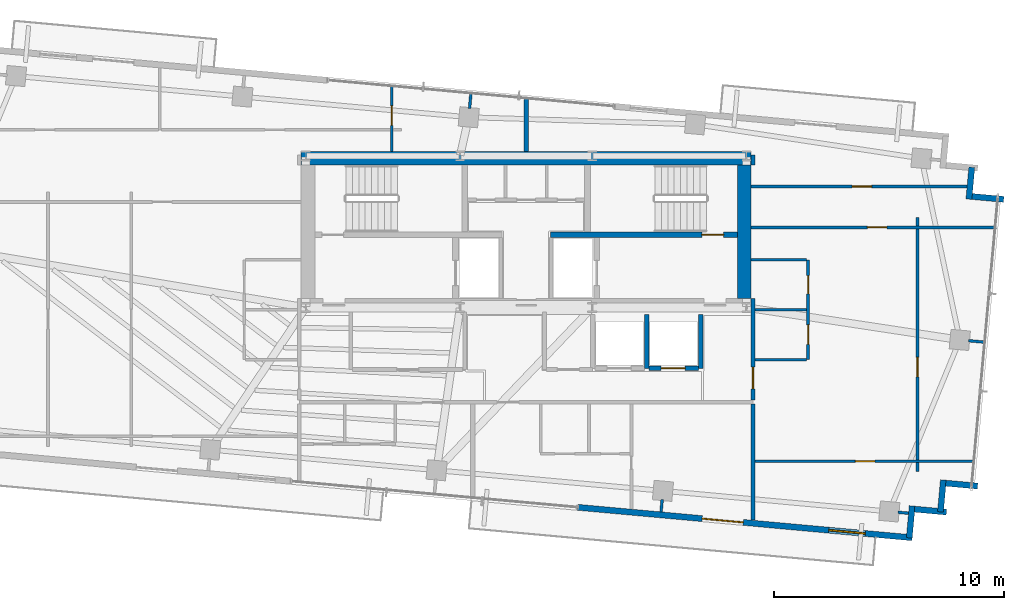
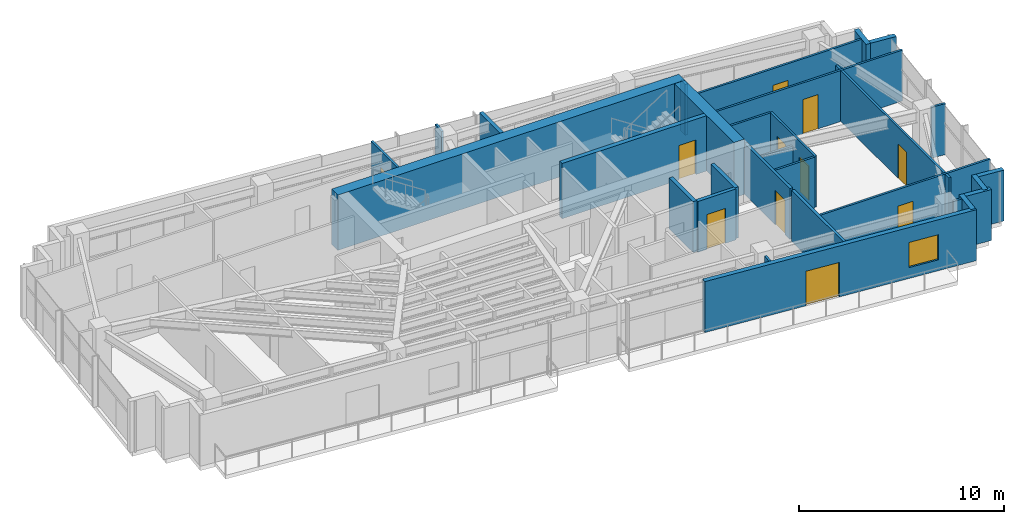
# One storey, part 18 of 22: 32 walls, 11 doors, 1 window, 12 openings.
"""IFC4 building model written with IfcOpenShell, lengths in metres."""

from ifc_helpers import new_model, si_unit, direction, frame, frame_2d, origin, place, context, subcontext, project, spatial, rectangle, extrude, source, transform, mapped, material, layer, layer_set, type_object, type_shapes, element, fill, save


model = new_model("IFC4")

# Units and contexts
model_context = context("Model", 3, precision=1e-05, world=origin(), true_north=direction((0.0, 1.0)))
body_context = subcontext(model_context, "Body", "Model", "MODEL_VIEW")
ifc_project = project(units=[si_unit("LENGTHUNIT", "METRE"), si_unit("AREAUNIT", "SQUARE_METRE"), si_unit("VOLUMEUNIT", "CUBIC_METRE"), si_unit("PLANEANGLEUNIT", "RADIAN"), si_unit("MASSUNIT", "GRAM", prefix="KILO")], contexts=[model_context])

# Site, building, storey
site_placement = place(None, origin())
site = spatial("IfcSite", under=ifc_project, at=site_placement, CompositionType="ELEMENT")
building_placement = place(site_placement, origin())
building = spatial("IfcBuilding", under=site, at=building_placement, Name="Astriad Promenade Condominiums", CompositionType="ELEMENT")
storey_placement = place(building_placement, frame((0.0, 0.0, 219.89990234375)))
storey = spatial("IfcBuildingStorey", under=building, at=storey_placement, Name="L63", CompositionType="ELEMENT", Elevation=219.89990234375)

# Walls
ifc_material_1 = material(Name="Concrete C50/60", Category="concrete")
ifc_layer_1 = layer(ifc_material_1, 0.60009765625)
ifc_layer_set_1 = layer_set([ifc_layer_1], Name="Concrete C50/60")
wall_type_1 = type_object("IfcWallType", Name="CW-SHEAR-600", PredefinedType="SHEAR", material=ifc_layer_set_1)
wall_1_placement = place(storey_placement, frame((26.199951171875, 23.89990234375, 0.0), z_axis=(0.0, 0.0, 1.0), x_axis=(1.0, 0.0, 0.0)))
element("IfcWall", 1, at=wall_1_placement, inside=storey, type_object=wall_type_1, Name="CW-CORE-N-L63", PredefinedType="SHEAR", context=body_context, shape_type="SweptSolid", body=[
    extrude(rectangle(XDim=19.60009765625, YDim=0.60009765625, at=frame_2d((9.800048828125, 0.0))), origin(), (0.0, 0.0, 1.0), 3.300048828125),
])
wall_2_placement = place(storey_placement, frame((45.5, 17.802001953125, 0.0), z_axis=(0.0, 0.0, 1.0), x_axis=(0.0, 1.0, 0.0)))
element("IfcWall", 2, at=wall_2_placement, inside=storey, type_object=wall_type_1, Name="CW-CORE-E-L63", PredefinedType="SHEAR", context=body_context, shape_type="SweptSolid", body=[
    extrude(rectangle(XDim=5.7958984375, YDim=0.60009765625, at=frame_2d((2.89794921875, 0.0))), origin(), (0.0, 0.0, 1.0), 3.300048828125),
])

# Wall, opening, door
ifc_layer_2 = layer(ifc_material_1, 0.25)
ifc_layer_set_2 = layer_set([ifc_layer_2], Name="Concrete C50/60")
wall_type_2 = type_object("IfcWallType", Name="WALL-CORE-INT-250", PredefinedType="SOLIDWALL", material=ifc_layer_set_2)
wall_3_placement = place(storey_placement, frame((37.050048828125, 20.574951171875, 0.0), z_axis=(0.0, 0.0, 1.0), x_axis=(1.0, 0.0, 0.0)))
wall_3 = element("IfcWall", 3, at=wall_3_placement, inside=storey, type_object=wall_type_2, Name="CW-INT-H2-L63", PredefinedType="SOLIDWALL", context=body_context, shape_type="SweptSolid", body=[
    extrude(rectangle(XDim=8.14794921875, YDim=0.25, at=frame_2d((4.073974609375, 0.0))), origin(), (0.0, 0.0, 1.0), 3.300048828125),
])
opening_1_placement = place(wall_3_placement, frame((6.60009765625, 0.0, 0.0)))
opening_1 = element("IfcOpeningElement", 4, at=opening_1_placement, cuts=wall_3, Name="Opening FD90-ST-095", PredefinedType="OPENING", context=body_context, shape_type="SweptSolid", body=[
    extrude(rectangle(XDim=0.949951171875, YDim=2.06005859375, at=frame_2d((0.47509765625, 1.030029296875))), frame((0.0, 0.135009765625, 0.0), z_axis=(0.0, -1.0, 0.0), x_axis=(1.0, 0.0, 0.0)), (0.0, 0.0, 1.0), 0.27001953125),
])
ifc_material_2 = material(Name="Fire-Rated Hollow Metal Stair Door")
door_type_1 = type_object("IfcDoorType", Name="FD90-ST-095", OperationType="NOTDEFINED", PredefinedType="DOOR", material=ifc_material_2)
shared_shape_1 = source(origin(), body_context, "Body", "SweptSolid", [
    extrude(rectangle(XDim=0.949951171875, YDim=2.06005859375, at=frame_2d((0.47509765625, 1.030029296875))), frame((0.0, 0.02490234375, 0.0), z_axis=(0.0, -1.0, 0.0), x_axis=(1.0, 0.0, 0.0)), (0.0, 0.0, 1.0), 0.050048828125),
])
type_shapes(door_type_1, [shared_shape_1])
door_1_placement = place(opening_1_placement, origin())
door_1 = element("IfcDoor", 5, at=door_1_placement, inside=storey, type_object=door_type_1, Name="D-ST2-L63", OperationType="SINGLE_SWING_RIGHT", OverallHeight=2.06005859375, OverallWidth=0.949951171875, PredefinedType="DOOR", context=body_context, shape_type="MappedRepresentation", body=[
    mapped(shared_shape_1, transform((0.0, 0.0, 0.0), scale=1.0)),
])
fill(opening_1, door_1)

# Wall
ifc_material_3 = material(Name="Fire-Rated Gypsum Partition")
ifc_layer_3 = layer(ifc_material_3, 0.159912109375)
ifc_layer_set_3 = layer_set([ifc_layer_3], Name="Fire-Rated Gypsum Partition")
wall_type_3 = type_object("IfcWallType", Name="WALL-CORR-160", PredefinedType="PARTITIONING", material=ifc_layer_set_3)
wall_4_placement = place(storey_placement, frame((45.8798828125, 8.135986328125, 0.0), z_axis=(0.0, 0.0, 1.0), x_axis=(0.0, 1.0, 0.0)))
element("IfcWall", 6, at=wall_4_placement, inside=storey, type_object=wall_type_3, Name="PT-COR-E-L63", PredefinedType="PARTITIONING", context=body_context, shape_type="SweptSolid", body=[
    extrude(rectangle(XDim=5.06201171875, YDim=0.159912109375, at=frame_2d((2.531005859375, 0.0))), origin(), (0.0, 0.0, 1.0), 3.0400390625),
])

# Wall, opening, door
wall_5_placement = place(storey_placement, frame((45.8798828125, 13.362060546875, 0.0), z_axis=(0.0, 0.0, 1.0), x_axis=(0.0, 1.0, 0.0)))
wall_5 = element("IfcWall", 7, at=wall_5_placement, inside=storey, type_object=wall_type_3, Name="PT-COR-E-L63-S2", PredefinedType="PARTITIONING", context=body_context, shape_type="SweptSolid", body=[
    extrude(rectangle(XDim=4.43994140625, YDim=0.159912109375, at=frame_2d((2.219970703125, 0.0))), origin(), (0.0, 0.0, 1.0), 3.0400390625),
])
opening_2_placement = place(wall_5_placement, frame((0.492919921875, 0.0, 0.0)))
opening_2 = element("IfcOpeningElement", 8, at=opening_2_placement, cuts=wall_5, Name="Opening FD60-APT-095", PredefinedType="OPENING", context=body_context, shape_type="SweptSolid", body=[
    extrude(rectangle(XDim=0.949951171875, YDim=2.06005859375, at=frame_2d((0.47509765625, 1.030029296875))), frame((0.0, 0.08984375, 0.0), z_axis=(0.0, -1.0, 0.0), x_axis=(1.0, 0.0, 0.0)), (0.0, 0.0, 1.0), 0.179931640625),
])
ifc_material_4 = material(Name="Solid-Core Acoustic Timber Residence Entry Door", Category="wood")
door_type_2 = type_object("IfcDoorType", Name="FD60-APT-095", OperationType="NOTDEFINED", PredefinedType="DOOR", material=ifc_material_4)
shared_shape_2 = source(origin(), body_context, "Body", "SweptSolid", [
    extrude(rectangle(XDim=0.949951171875, YDim=2.06005859375, at=frame_2d((0.47509765625, 1.030029296875))), frame((0.0, 0.02490234375, 0.0), z_axis=(0.0, -1.0, 0.0), x_axis=(1.0, 0.0, 0.0)), (0.0, 0.0, 1.0), 0.050048828125),
])
type_shapes(door_type_2, [shared_shape_2])
door_2_placement = place(opening_2_placement, origin())
door_2 = element("IfcDoor", 9, at=door_2_placement, inside=storey, type_object=door_type_2, Name="D-ENT-L63-E1", OperationType="SINGLE_SWING_LEFT", OverallHeight=2.06005859375, OverallWidth=0.949951171875, PredefinedType="DOOR", context=body_context, shape_type="MappedRepresentation", body=[
    mapped(shared_shape_2, transform((0.0, 0.0, 0.0), scale=1.0)),
])
fill(opening_2, door_2)

# Walls
wall_6_placement = place(storey_placement, frame((45.8798828125, 23.597900390625, 0.0), z_axis=(0.0, 0.0, 1.0), x_axis=(0.0, 1.0, 0.0)))
element("IfcWall", 10, at=wall_6_placement, inside=storey, type_object=wall_type_3, Name="PT-COR-E-L63-S3", PredefinedType="PARTITIONING", context=body_context, shape_type="SweptSolid", body=[
    extrude(rectangle(XDim=0.4521484375, YDim=0.159912109375, at=frame_2d((0.22607421875, 0.0))), origin(), (0.0, 0.0, 1.0), 3.0400390625),
])
ifc_material_5 = material(Name="Acoustic Double-Stud Gypsum Partition")
ifc_layer_4 = layer(ifc_material_5, 0.199951171875)
ifc_layer_set_4 = layer_set([ifc_layer_4], Name="Acoustic Double-Stud Gypsum Partition")
wall_type_4 = type_object("IfcWallType", Name="WALL-DEMISING-200", PredefinedType="PARTITIONING", material=ifc_layer_set_4)
wall_7_placement = place(storey_placement, frame((36.0, 24.201904296875, 0.0), z_axis=(0.0, 0.0, 1.0), x_axis=(0.0, 1.0, 0.0)))
element("IfcWall", 11, at=wall_7_placement, inside=storey, type_object=wall_type_4, Name="PT-NC-MID-L63", PredefinedType="PARTITIONING", context=body_context, shape_type="SweptSolid", body=[
    extrude(rectangle(XDim=2.36328125, YDim=0.199951171875, at=frame_2d((1.181640625, 0.0))), origin(), (0.0, 0.0, 1.0), 3.0400390625),
])
ifc_material_6 = material(Name="Precast concrete C50/60", Category="concrete")
ifc_layer_5 = layer(ifc_material_6, 0.260009765625)
ifc_layer_set_5 = layer_set([ifc_layer_5], Name="Precast concrete C50/60")
wall_type_5 = type_object("IfcWallType", Name="WALL-EXT-TWR-260", PredefinedType="STANDARD", material=ifc_layer_set_5)
for number, where, z_axis, x_axis, name in (
    (12, (55.412353515625, 23.50830078125, 0.0), (0.0, 0.0, 1.0), (-0.090646191665, -0.995883159782, 0.0), "W-SER-L63-11"),
    (13, (55.412109375, 22.238037109375, 0.0), (0.0, 0.0, 1.0), (0.995883159782, -0.090646191665, 0.0), "W-SER-L63-12"),
):
    element("IfcWall", number, at=place(storey_placement, frame(where, z_axis=z_axis, x_axis=x_axis)), inside=storey, type_object=wall_type_5, Name=name, PredefinedType="STANDARD", context=body_context, shape_type="SweptSolid", body=[
        extrude(rectangle(XDim=1.395263671875, YDim=0.260009765625, at=frame_2d((0.69775390625, 0.0))), origin(), (0.0, 0.0, 1.0), 3.0400390625),
    ])
for number, where, z_axis, x_axis, name in (
    (14, (55.664794921875, 9.623291015625, 0.0), (0.0, 0.0, 1.0), (-0.995881721538, 0.090661991521, 0.0), "W-SER-L63-14"),
    (15, (54.1728515625, 9.889404296875, 0.0), (0.0, 0.0, 1.0), (-0.090661991521, -0.995881721538, 0.0), "W-SER-L63-15"),
):
    element("IfcWall", number, at=place(storey_placement, frame(where, z_axis=z_axis, x_axis=x_axis)), inside=storey, type_object=wall_type_5, Name=name, PredefinedType="STANDARD", context=body_context, shape_type="SweptSolid", body=[
        extrude(rectangle(XDim=1.39501953125, YDim=0.260009765625, at=frame_2d((0.697509765625, 0.0))), origin(), (0.0, 0.0, 1.0), 3.0400390625),
    ])
for number, where, z_axis, x_axis, name in (
    (16, (54.306884765625, 8.49169921875, 0.0), (0.0, 0.0, 1.0), (-0.995883159782, 0.090646191665, 0.0), "W-SER-L63-16"),
    (17, (52.814697265625, 8.758056640625, 0.0), (0.0, 0.0, 1.0), (-0.090646191665, -0.995883159782, 0.0), "W-SER-L63-17"),
):
    element("IfcWall", number, at=place(storey_placement, frame(where, z_axis=z_axis, x_axis=x_axis)), inside=storey, type_object=wall_type_5, Name=name, PredefinedType="STANDARD", context=body_context, shape_type="SweptSolid", body=[
        extrude(rectangle(XDim=1.395263671875, YDim=0.260009765625, at=frame_2d((0.69775390625, 0.0))), origin(), (0.0, 0.0, 1.0), 3.0400390625),
    ])

# Wall, openings, door, window
wall_8_placement = place(storey_placement, frame((52.819091796875, 7.371826171875, 0.0), z_axis=(0.0, 0.0, 1.0), x_axis=(-0.995884447498, 0.090632043071, 0.0)))
wall_8 = element("IfcWall", 18, at=wall_8_placement, inside=storey, type_object=wall_type_5, Name="W-EXT-L63-S1", PredefinedType="STANDARD", context=body_context, shape_type="SweptSolid", body=[
    extrude(rectangle(XDim=14.6298828125, YDim=0.260009765625, at=frame_2d((7.31494140625, 0.0))), origin(), (0.0, 0.0, 1.0), 3.0400390625),
])
opening_3_placement = place(wall_8_placement, frame((7.39306640625, 0.0, 0.0)))
opening_3 = element("IfcOpeningElement", 19, at=opening_3_placement, cuts=wall_8, Name="Opening BD-1822-SLD", PredefinedType="OPENING", context=body_context, shape_type="SweptSolid", body=[
    extrude(rectangle(XDim=1.800048828125, YDim=2.06005859375, at=frame_2d((0.89990234375, 1.030029296875))), frame((0.0, 0.139892578125, 0.0), z_axis=(0.0, -1.0, 0.0), x_axis=(1.0, 0.0, 0.0)), (0.0, 0.0, 1.0), 0.280029296875),
])
opening_4_placement = place(wall_8_placement, frame((2.050048828125, 0.0, 0.64990234375)))
opening_4 = element("IfcOpeningElement", 20, at=opening_4_placement, cuts=wall_8, Name="Opening WIN-TWR-1620", PredefinedType="OPENING", context=body_context, shape_type="SweptSolid", body=[
    extrude(rectangle(XDim=1.60009765625, YDim=1.5, at=frame_2d((0.800048828125, 0.75))), frame((0.0, 0.139892578125, 0.0), z_axis=(0.0, -1.0, 0.0), x_axis=(1.0, 0.0, 0.0)), (0.0, 0.0, 1.0), 0.280029296875),
])
ifc_material_7 = material(Name="Thermally Broken Aluminium Sliding Balcony Door", Category="aluminium")
door_type_3 = type_object("IfcDoorType", Name="BD-1822-SLD", OperationType="NOTDEFINED", PredefinedType="DOOR", material=ifc_material_7)
shared_shape_3 = source(origin(), body_context, "Body", "SweptSolid", [
    extrude(rectangle(XDim=1.800048828125, YDim=2.06005859375, at=frame_2d((0.89990234375, 1.030029296875))), frame((0.0, 0.02490234375, 0.0), z_axis=(0.0, -1.0, 0.0), x_axis=(1.0, 0.0, 0.0)), (0.0, 0.0, 1.0), 0.050048828125),
])
type_shapes(door_type_3, [shared_shape_3])
door_3_placement = place(opening_3_placement, origin())
door_3 = element("IfcDoor", 21, at=door_3_placement, inside=storey, type_object=door_type_3, Name="BD-L63-SE", OperationType="SLIDING_TO_RIGHT", OverallHeight=2.06005859375, OverallWidth=1.800048828125, PredefinedType="DOOR", context=body_context, shape_type="MappedRepresentation", body=[
    mapped(shared_shape_3, transform((0.0, 0.0, 0.0), scale=1.0)),
])
fill(opening_3, door_3)
ifc_material_8 = material(Name="Dark Tinted Triple-Glazed Aluminium Window", Category="aluminium")
window_type = type_object("IfcWindowType", Name="WIN-TWR-1620", PartitioningType="SINGLE_PANEL", PredefinedType="WINDOW", material=ifc_material_8)
shared_shape_4 = source(origin(), body_context, "Body", "SweptSolid", [
    extrude(rectangle(XDim=1.60009765625, YDim=1.5, at=frame_2d((0.800048828125, 0.75))), frame((0.0, 0.030029296875, 0.0), z_axis=(0.0, -1.0, 0.0), x_axis=(1.0, 0.0, 0.0)), (0.0, 0.0, 1.0), 0.06005859375),
])
type_shapes(window_type, [shared_shape_4])
window_placement = place(opening_4_placement, origin())
window = element("IfcWindow", 22, at=window_placement, inside=storey, type_object=window_type, Name="WIN-L63-SE", OverallHeight=1.5, OverallWidth=1.60009765625, PartitioningType="SINGLE_PANEL", PredefinedType="WINDOW", context=body_context, shape_type="MappedRepresentation", body=[
    mapped(shared_shape_4, transform((0.0, 0.0, 0.0), scale=1.0)),
])
fill(opening_4, window)

# Wall, opening, door
ifc_material_9 = material(Name="Acoustic Metal-Stud Gypsum Partition")
ifc_layer_6 = layer(ifc_material_9, 0.1201171875)
ifc_layer_set_6 = layer_set([ifc_layer_6], Name="Acoustic Metal-Stud Gypsum Partition")
wall_type_6 = type_object("IfcWallType", Name="WALL-PART-120", PredefinedType="PARTITIONING", material=ifc_layer_set_6)
wall_9_placement = place(storey_placement, frame((30.14990234375, 24.201904296875, 0.0), z_axis=(0.0, 0.0, 1.0), x_axis=(0.0, 1.0, 0.0)))
wall_9 = element("IfcWall", 23, at=wall_9_placement, inside=storey, type_object=wall_type_6, Name="PT-L63-W1-NC", PredefinedType="PARTITIONING", context=body_context, shape_type="SweptSolid", body=[
    extrude(rectangle(XDim=2.895751953125, YDim=0.1201171875, at=frame_2d((1.44775390625, 0.0))), origin(), (0.0, 0.0, 1.0), 3.0400390625),
])
opening_5_placement = place(wall_9_placement, frame((1.1279296875, 0.0, 0.0)))
opening_5 = element("IfcOpeningElement", 24, at=opening_5_placement, cuts=wall_9, Name="Opening D-INT-085", PredefinedType="OPENING", context=body_context, shape_type="SweptSolid", body=[
    extrude(rectangle(XDim=0.85009765625, YDim=2.050048828125, at=frame_2d((0.425048828125, 1.02490234375))), frame((0.0, 0.070068359375, 0.0), z_axis=(0.0, -1.0, 0.0), x_axis=(1.0, 0.0, 0.0)), (0.0, 0.0, 1.0), 0.14013671875),
])
ifc_material_10 = material(Name="Painted Solid-Core Timber Room Door", Category="wood")
door_type_4 = type_object("IfcDoorType", Name="D-INT-085", OperationType="NOTDEFINED", PredefinedType="DOOR", material=ifc_material_10)
shared_shape_5 = source(origin(), body_context, "Body", "SweptSolid", [
    extrude(rectangle(XDim=0.85009765625, YDim=2.050048828125, at=frame_2d((0.425048828125, 1.02490234375))), frame((0.0, 0.02490234375, 0.0), z_axis=(0.0, -1.0, 0.0), x_axis=(1.0, 0.0, 0.0)), (0.0, 0.0, 1.0), 0.050048828125),
])
type_shapes(door_type_4, [shared_shape_5])
door_4_placement = place(opening_5_placement, origin())
door_4 = element("IfcDoor", 25, at=door_4_placement, inside=storey, type_object=door_type_4, Name="D-NC-L63-W1", OperationType="SINGLE_SWING_RIGHT", OverallHeight=2.050048828125, OverallWidth=0.85009765625, PredefinedType="DOOR", context=body_context, shape_type="MappedRepresentation", body=[
    mapped(shared_shape_5, transform((0.0, 0.0, 0.0), scale=1.0)),
])
fill(opening_5, door_4)

# Wall, openings, doors
wall_10_placement = place(storey_placement, frame((48.280029296875, 15.1298828125, 0.0), z_axis=(0.0, 0.0, 1.0), x_axis=(0.0, 1.0, 0.0)))
wall_10 = element("IfcWall", 26, at=wall_10_placement, inside=storey, type_object=wall_type_6, Name="PT-L63-E1-PV", PredefinedType="PARTITIONING", context=body_context, shape_type="SweptSolid", body=[
    extrude(rectangle(XDim=4.35009765625, YDim=0.1201171875, at=frame_2d((2.175048828125, 0.0))), origin(), (0.0, 0.0, 1.0), 3.0400390625),
])
opening_6_placement = place(wall_10_placement, frame((0.6630859375, 0.0, 0.0)))
opening_6 = element("IfcOpeningElement", 27, at=opening_6_placement, cuts=wall_10, Name="Opening D-INT-085", PredefinedType="OPENING", context=body_context, shape_type="SweptSolid", body=[
    extrude(rectangle(XDim=0.85009765625, YDim=2.050048828125, at=frame_2d((0.425048828125, 1.02490234375))), frame((0.0, 0.070068359375, 0.0), z_axis=(0.0, -1.0, 0.0), x_axis=(1.0, 0.0, 0.0)), (0.0, 0.0, 1.0), 0.14013671875),
])
opening_7_placement = place(wall_10_placement, frame((2.862060546875, 0.0, 0.0)))
opening_7 = element("IfcOpeningElement", 28, at=opening_7_placement, cuts=wall_10, Name="Opening D-WET-080", PredefinedType="OPENING", context=body_context, shape_type="SweptSolid", body=[
    extrude(rectangle(XDim=0.800048828125, YDim=2.02001953125, at=frame_2d((0.39990234375, 1.010009765625))), frame((0.0, 0.070068359375, 0.0), z_axis=(0.0, -1.0, 0.0), x_axis=(1.0, 0.0, 0.0)), (0.0, 0.0, 1.0), 0.14013671875),
])
ifc_material_11 = material(Name="Moisture-Resistant Timber Bathroom Door", Category="wood")
door_type_5 = type_object("IfcDoorType", Name="D-WET-080", OperationType="NOTDEFINED", PredefinedType="DOOR", material=ifc_material_11)
shared_shape_6 = source(origin(), body_context, "Body", "SweptSolid", [
    extrude(rectangle(XDim=0.800048828125, YDim=2.02001953125, at=frame_2d((0.39990234375, 1.010009765625))), frame((0.0, 0.02490234375, 0.0), z_axis=(0.0, -1.0, 0.0), x_axis=(1.0, 0.0, 0.0)), (0.0, 0.0, 1.0), 0.050048828125),
])
type_shapes(door_type_5, [shared_shape_6])
door_5_placement = place(opening_7_placement, origin())
door_5 = element("IfcDoor", 29, at=door_5_placement, inside=storey, type_object=door_type_5, Name="D-BTH-L63-E1", OperationType="SINGLE_SWING_LEFT", OverallHeight=2.02001953125, OverallWidth=0.800048828125, PredefinedType="DOOR", context=body_context, shape_type="MappedRepresentation", body=[
    mapped(shared_shape_6, transform((0.0, 0.0, 0.0), scale=1.0)),
])
fill(opening_7, door_5)
door_6_placement = place(opening_6_placement, origin())
door_6 = element("IfcDoor", 30, at=door_6_placement, inside=storey, type_object=door_type_4, Name="D-KIT-L63-E1", OperationType="SINGLE_SWING_RIGHT", OverallHeight=2.050048828125, OverallWidth=0.85009765625, PredefinedType="DOOR", context=body_context, shape_type="MappedRepresentation", body=[
    mapped(shared_shape_5, transform((0.0, 0.0, 0.0), scale=1.0)),
])
fill(opening_6, door_6)

# Walls
wall_11_placement = place(storey_placement, frame((45.9619140625, 17.304931640625, 0.0), z_axis=(0.0, 0.0, 1.0), x_axis=(1.0, 0.0, 0.0)))
element("IfcWall", 31, at=wall_11_placement, inside=storey, type_object=wall_type_6, Name="PT-L63-E1-PM", PredefinedType="PARTITIONING", context=body_context, shape_type="SweptSolid", body=[
    extrude(rectangle(XDim=2.256103515625, YDim=0.1201171875, at=frame_2d((1.1279296875, 0.0))), origin(), (0.0, 0.0, 1.0), 2.381591796875),
])
wall_12_placement = place(storey_placement, frame((45.9619140625, 15.1298828125, 0.0), z_axis=(0.0, 0.0, 1.0), x_axis=(1.0, 0.0, 0.0)))
element("IfcWall", 32, at=wall_12_placement, inside=storey, type_object=wall_type_6, Name="PT-L63-E1-PS", PredefinedType="PARTITIONING", context=body_context, shape_type="SweptSolid", body=[
    extrude(rectangle(XDim=2.256103515625, YDim=0.1201171875, at=frame_2d((1.1279296875, 0.0))), origin(), (0.0, 0.0, 1.0), 3.0400390625),
])
wall_13_placement = place(storey_placement, frame((45.802001953125, 19.47998046875, 0.0), z_axis=(0.0, 0.0, 1.0), x_axis=(1.0, 0.0, 0.0)))
element("IfcWall", 33, at=wall_13_placement, inside=storey, type_object=wall_type_6, Name="PT-L63-E1-PN", PredefinedType="PARTITIONING", context=body_context, shape_type="SweptSolid", body=[
    extrude(rectangle(XDim=2.416015625, YDim=0.1201171875, at=frame_2d((1.2080078125, 0.0))), origin(), (0.0, 0.0, 1.0), 3.0400390625),
])

# Wall, opening, door
wall_14_placement = place(storey_placement, frame((45.802001953125, 22.673095703125, 0.0), z_axis=(0.0, 0.0, 1.0), x_axis=(1.0, 0.0, 0.0)))
wall_14 = element("IfcWall", 34, at=wall_14_placement, inside=storey, type_object=wall_type_6, Name="PT-L63-E1-WDN1", PredefinedType="PARTITIONING", context=body_context, shape_type="SweptSolid", body=[
    extrude(rectangle(XDim=9.401611328125, YDim=0.1201171875, at=frame_2d((4.70068359375, 0.0))), origin(), (0.0, 0.0, 1.0), 3.0400390625),
])
opening_8_placement = place(wall_14_placement, frame((4.39697265625, 0.0, 0.0)))
opening_8 = element("IfcOpeningElement", 35, at=opening_8_placement, cuts=wall_14, Name="Opening D-INT-085", PredefinedType="OPENING", context=body_context, shape_type="SweptSolid", body=[
    extrude(rectangle(XDim=0.85009765625, YDim=2.050048828125, at=frame_2d((0.425048828125, 1.02490234375))), frame((0.0, 0.070068359375, 0.0), z_axis=(0.0, -1.0, 0.0), x_axis=(1.0, 0.0, 0.0)), (0.0, 0.0, 1.0), 0.14013671875),
])
door_7_placement = place(opening_8_placement, origin())
door_7 = element("IfcDoor", 36, at=door_7_placement, inside=storey, type_object=door_type_4, Name="D-WDN1-L63-E1", OperationType="SINGLE_SWING_RIGHT", OverallHeight=2.050048828125, OverallWidth=0.85009765625, PredefinedType="DOOR", context=body_context, shape_type="MappedRepresentation", body=[
    mapped(shared_shape_5, transform((0.0, 0.0, 0.0), scale=1.0)),
])
fill(opening_8, door_7)

wall_15_placement = place(storey_placement, frame((45.9619140625, 10.701904296875, 0.0), z_axis=(0.0, 0.0, 1.0), x_axis=(1.0, 0.0, 0.0)))
wall_15 = element("IfcWall", 37, at=wall_15_placement, inside=storey, type_object=wall_type_6, Name="PT-L63-E1-WDS2", PredefinedType="PARTITIONING", context=body_context, shape_type="SweptSolid", body=[
    extrude(rectangle(XDim=9.59033203125, YDim=0.1201171875, at=frame_2d((4.795166015625, 0.0))), origin(), (0.0, 0.0, 1.0), 3.0400390625),
])
opening_9_placement = place(wall_15_placement, frame((4.3759765625, 0.0, 0.0)))
opening_9 = element("IfcOpeningElement", 38, at=opening_9_placement, cuts=wall_15, Name="Opening D-INT-085", PredefinedType="OPENING", context=body_context, shape_type="SweptSolid", body=[
    extrude(rectangle(XDim=0.85009765625, YDim=2.050048828125, at=frame_2d((0.425048828125, 1.02490234375))), frame((0.0, 0.070068359375, 0.0), z_axis=(0.0, -1.0, 0.0), x_axis=(1.0, 0.0, 0.0)), (0.0, 0.0, 1.0), 0.14013671875),
])
door_8_placement = place(opening_9_placement, origin())
door_8 = element("IfcDoor", 39, at=door_8_placement, inside=storey, type_object=door_type_4, Name="D-WDS2-L63-E1", OperationType="SINGLE_SWING_LEFT", OverallHeight=2.050048828125, OverallWidth=0.85009765625, PredefinedType="DOOR", context=body_context, shape_type="MappedRepresentation", body=[
    mapped(shared_shape_5, transform((0.0, 0.0, 0.0), scale=1.0)),
])
fill(opening_9, door_8)

wall_16_placement = place(storey_placement, frame((45.802001953125, 20.889892578125, 0.0), z_axis=(0.0, 0.0, 1.0), x_axis=(1.0, 0.0, 0.0)))
wall_16 = element("IfcWall", 40, at=wall_16_placement, inside=storey, type_object=wall_type_6, Name="PT-L63-E1-WDN3", PredefinedType="PARTITIONING", context=body_context, shape_type="SweptSolid", body=[
    extrude(rectangle(XDim=10.67724609375, YDim=0.1201171875, at=frame_2d((5.338623046875, 0.0))), origin(), (0.0, 0.0, 1.0), 3.0400390625),
])
opening_10_placement = place(wall_16_placement, frame((5.06201171875, 0.0, 0.0)))
opening_10 = element("IfcOpeningElement", 41, at=opening_10_placement, cuts=wall_16, Name="Opening D-INT-085", PredefinedType="OPENING", context=body_context, shape_type="SweptSolid", body=[
    extrude(rectangle(XDim=0.85009765625, YDim=2.050048828125, at=frame_2d((0.425048828125, 1.02490234375))), frame((0.0, 0.070068359375, 0.0), z_axis=(0.0, -1.0, 0.0), x_axis=(1.0, 0.0, 0.0)), (0.0, 0.0, 1.0), 0.14013671875),
])
door_9_placement = place(opening_10_placement, origin())
door_9 = element("IfcDoor", 42, at=door_9_placement, inside=storey, type_object=door_type_4, Name="D-WDN3-L63-E1", OperationType="SINGLE_SWING_RIGHT", OverallHeight=2.050048828125, OverallWidth=0.85009765625, PredefinedType="DOOR", context=body_context, shape_type="MappedRepresentation", body=[
    mapped(shared_shape_5, transform((0.0, 0.0, 0.0), scale=1.0)),
])
fill(opening_10, door_9)

# Wall
wall_17_placement = place(storey_placement, frame((53.0439453125, 10.261962890625, 0.0), z_axis=(0.0, 0.0, 1.0), x_axis=(0.0, 1.0, 0.0)))
element("IfcWall", 43, at=wall_17_placement, inside=storey, type_object=wall_type_6, Name="PT-L63-E1-WDV4", PredefinedType="PARTITIONING", context=body_context, shape_type="SweptSolid", body=[
    extrude(rectangle(XDim=0.3779296875, YDim=0.1201171875, at=frame_2d((0.18896484375, 0.0))), origin(), (0.0, 0.0, 1.0), 3.0400390625),
])

# Wall, opening, door
wall_18_placement = place(storey_placement, frame((53.0439453125, 10.763916015625, 0.0), z_axis=(0.0, 0.0, 1.0), x_axis=(0.0, 1.0, 0.0)))
wall_18 = element("IfcWall", 44, at=wall_18_placement, inside=storey, type_object=wall_type_6, Name="PT-L63-E1-WDV4-S2", PredefinedType="PARTITIONING", context=body_context, shape_type="SweptSolid", body=[
    extrude(rectangle(XDim=10.06396484375, YDim=0.1201171875, at=frame_2d((5.031982421875, 0.0))), origin(), (0.0, 0.0, 1.0), 3.0400390625),
])
opening_11_placement = place(wall_18_placement, frame((3.6201171875, 0.0, 0.0)))
opening_11 = element("IfcOpeningElement", 45, at=opening_11_placement, cuts=wall_18, Name="Opening D-INT-085", PredefinedType="OPENING", context=body_context, shape_type="SweptSolid", body=[
    extrude(rectangle(XDim=0.85009765625, YDim=2.050048828125, at=frame_2d((0.425048828125, 1.02490234375))), frame((0.0, 0.070068359375, 0.0), z_axis=(0.0, -1.0, 0.0), x_axis=(1.0, 0.0, 0.0)), (0.0, 0.0, 1.0), 0.14013671875),
])
door_10_placement = place(opening_11_placement, origin())
door_10 = element("IfcDoor", 46, at=door_10_placement, inside=storey, type_object=door_type_4, Name="D-WDV4-L63-E1", OperationType="SINGLE_SWING_LEFT", OverallHeight=2.050048828125, OverallWidth=0.85009765625, PredefinedType="DOOR", context=body_context, shape_type="MappedRepresentation", body=[
    mapped(shared_shape_5, transform((0.0, 0.0, 0.0), scale=1.0)),
])
fill(opening_11, door_10)

# Walls
wall_19_placement = place(storey_placement, frame((53.0439453125, 20.951904296875, 0.0), z_axis=(0.0, 0.0, 1.0), x_axis=(0.0, 1.0, 0.0)))
element("IfcWall", 47, at=wall_19_placement, inside=storey, type_object=wall_type_6, Name="PT-L63-E1-WDV4-S3", PredefinedType="PARTITIONING", context=body_context, shape_type="SweptSolid", body=[
    extrude(rectangle(XDim=0.378173828125, YDim=0.1201171875, at=frame_2d((0.18896484375, 0.0))), origin(), (0.0, 0.0, 1.0), 3.0400390625),
])
wall_20_placement = place(storey_placement, frame((41.92529296875, 9.0361328125, 0.0), z_axis=(0.0, 0.0, 1.0), x_axis=(-0.090740281653, -0.995874591144, 0.0)))
element("IfcWall", 48, at=wall_20_placement, inside=storey, type_object=wall_type_6, Name="PT-PIL-L63-PC04-11", PredefinedType="PARTITIONING", context=body_context, shape_type="SweptSolid", body=[
    extrude(rectangle(XDim=0.5380859375, YDim=0.1201171875, at=frame_2d((0.26904296875, 0.0))), origin(), (0.0, 0.0, 1.0), 3.0400390625),
])
wall_21_placement = place(storey_placement, frame((52.197265625, 8.48291015625, 0.0), z_axis=(0.0, 0.0, 1.0), x_axis=(0.995884462012, -0.090631883588, 0.0)))
element("IfcWall", 49, at=wall_21_placement, inside=storey, type_object=wall_type_6, Name="PT-PIL-L63-PC05-12", PredefinedType="PARTITIONING", context=body_context, shape_type="SweptSolid", body=[
    extrude(rectangle(XDim=0.4580078125, YDim=0.1201171875, at=frame_2d((0.22900390625, 0.0))), origin(), (0.0, 0.0, 1.0), 3.0400390625),
])
wall_22_placement = place(storey_placement, frame((33.5341796875, 26.066650390625, 0.0), z_axis=(0.0, 0.0, 1.0), x_axis=(0.090535746043, 0.995893206468, 0.0)))
element("IfcWall", 50, at=wall_22_placement, inside=storey, type_object=wall_type_6, Name="PT-PIL-L63-PC08-15", PredefinedType="PARTITIONING", context=body_context, shape_type="SweptSolid", body=[
    extrude(rectangle(XDim=0.719970703125, YDim=0.1201171875, at=frame_2d((0.35986328125, 0.0))), origin(), (0.0, 0.0, 1.0), 3.0400390625),
])
wall_23_placement = place(storey_placement, frame((55.26708984375, 15.955322265625, 0.0), z_axis=(0.0, 0.0, 1.0), x_axis=(0.995887938321, -0.09059367697, 0.0)))
element("IfcWall", 51, at=wall_23_placement, inside=storey, type_object=wall_type_6, Name="PT-PIL-L63-PC12-19", PredefinedType="PARTITIONING", context=body_context, shape_type="SweptSolid", body=[
    extrude(rectangle(XDim=0.760009765625, YDim=0.1201171875, at=frame_2d((0.3798828125, 0.0))), origin(), (0.0, 0.0, 1.0), 3.0400390625),
])
ifc_material_12 = material(Name="Gypsum Shaftliner Assembly")
ifc_layer_7 = layer(ifc_material_12, 0.199951171875)
ifc_layer_set_7 = layer_set([ifc_layer_7], Name="Gypsum Shaftliner Assembly")
wall_type_7 = type_object("IfcWallType", Name="WALL-SHAFT-200", PredefinedType="PARTITIONING", material=ifc_layer_set_7)
for number, where, z_axis, x_axis, name in (
    (52, (41.25, 14.75, 0.0), (0.0, 0.0, 1.0), (0.0, 1.0, 0.0), "PL-H-DIV-L63"),
    (53, (43.60009765625, 14.75, 0.0), (0.0, 0.0, 1.0), (0.0, 1.0, 0.0), "PL-E-OUT-L63"),
):
    element("IfcWall", number, at=place(storey_placement, frame(where, z_axis=z_axis, x_axis=x_axis)), inside=storey, type_object=wall_type_7, Name=name, PredefinedType="PARTITIONING", context=body_context, shape_type="SweptSolid", body=[
        extrude(rectangle(XDim=2.35009765625, YDim=0.199951171875, at=frame_2d((1.175048828125, 0.0))), origin(), (0.0, 0.0, 1.0), 3.0400390625),
    ])

# Wall, opening, door
wall_24_placement = place(storey_placement, frame((41.35205078125, 14.75, 0.0), z_axis=(0.0, 0.0, 1.0), x_axis=(1.0, 0.0, 0.0)))
wall_24 = element("IfcWall", 54, at=wall_24_placement, inside=storey, type_object=wall_type_7, Name="PL-H-FRT-L63-S2", PredefinedType="PARTITIONING", context=body_context, shape_type="SweptSolid", body=[
    extrude(rectangle(XDim=2.14599609375, YDim=0.199951171875, at=frame_2d((1.072998046875, 0.0))), origin(), (0.0, 0.0, 1.0), 3.0400390625),
])
opening_12_placement = place(wall_24_placement, frame((0.52294921875, 0.0, 0.0)))
opening_12 = element("IfcOpeningElement", 55, at=opening_12_placement, cuts=wall_24, Name="Opening LD-PL-10522", PredefinedType="OPENING", context=body_context, shape_type="SweptSolid", body=[
    extrude(rectangle(XDim=1.050048828125, YDim=2.080078125, at=frame_2d((0.52490234375, 1.0400390625))), frame((0.0, 0.10986328125, 0.0), z_axis=(0.0, -1.0, 0.0), x_axis=(1.0, 0.0, 0.0)), (0.0, 0.0, 1.0), 0.219970703125),
])
ifc_material_13 = material(Name="Brushed Bronze Passenger Elevator Landing Door")
door_type_6 = type_object("IfcDoorType", Name="LD-PL-10522", OperationType="NOTDEFINED", PredefinedType="DOOR", material=ifc_material_13)
shared_shape_7 = source(origin(), body_context, "Body", "SweptSolid", [
    extrude(rectangle(XDim=1.050048828125, YDim=2.080078125, at=frame_2d((0.52490234375, 1.0400390625))), frame((0.0, 0.02490234375, 0.0), z_axis=(0.0, -1.0, 0.0), x_axis=(1.0, 0.0, 0.0)), (0.0, 0.0, 1.0), 0.050048828125),
])
type_shapes(door_type_6, [shared_shape_7])
door_11_placement = place(opening_12_placement, origin())
door_11 = element("IfcDoor", 56, at=door_11_placement, inside=storey, type_object=door_type_6, Name="Elevator Landing Door PL-H2 (L63)", OperationType="SLIDING_TO_RIGHT", OverallHeight=2.080078125, OverallWidth=1.050048828125, PredefinedType="DOOR", context=body_context, shape_type="MappedRepresentation", body=[
    mapped(shared_shape_7, transform((0.0, 0.0, 0.0), scale=1.0)),
])
fill(opening_12, door_11)

save(model, "model.ifc")
